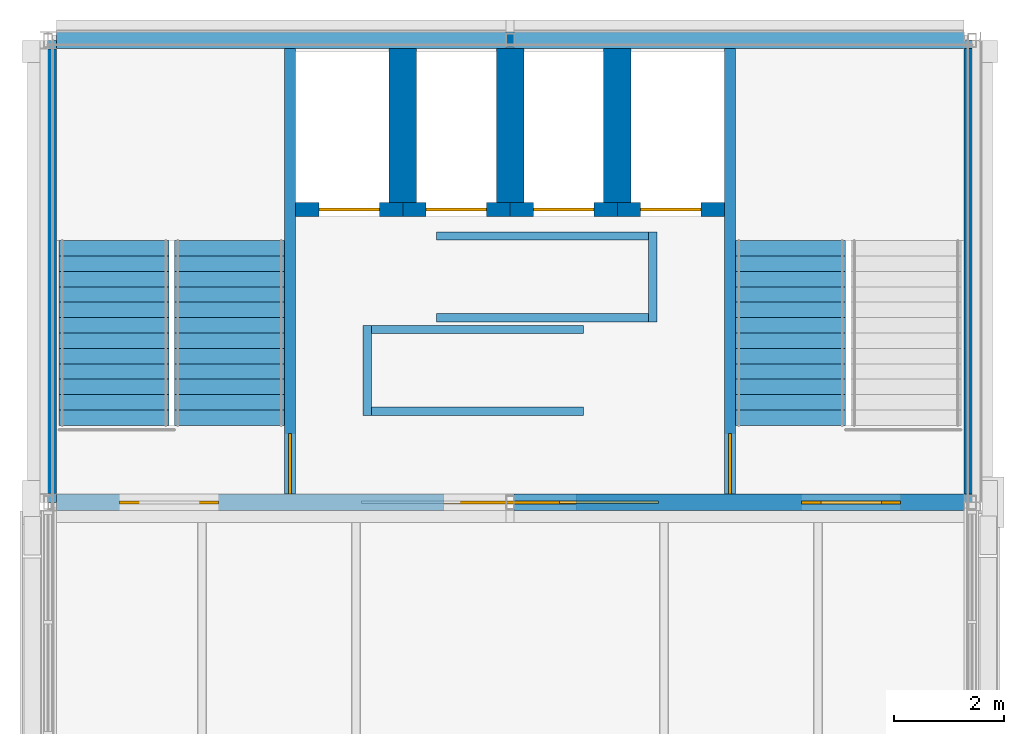
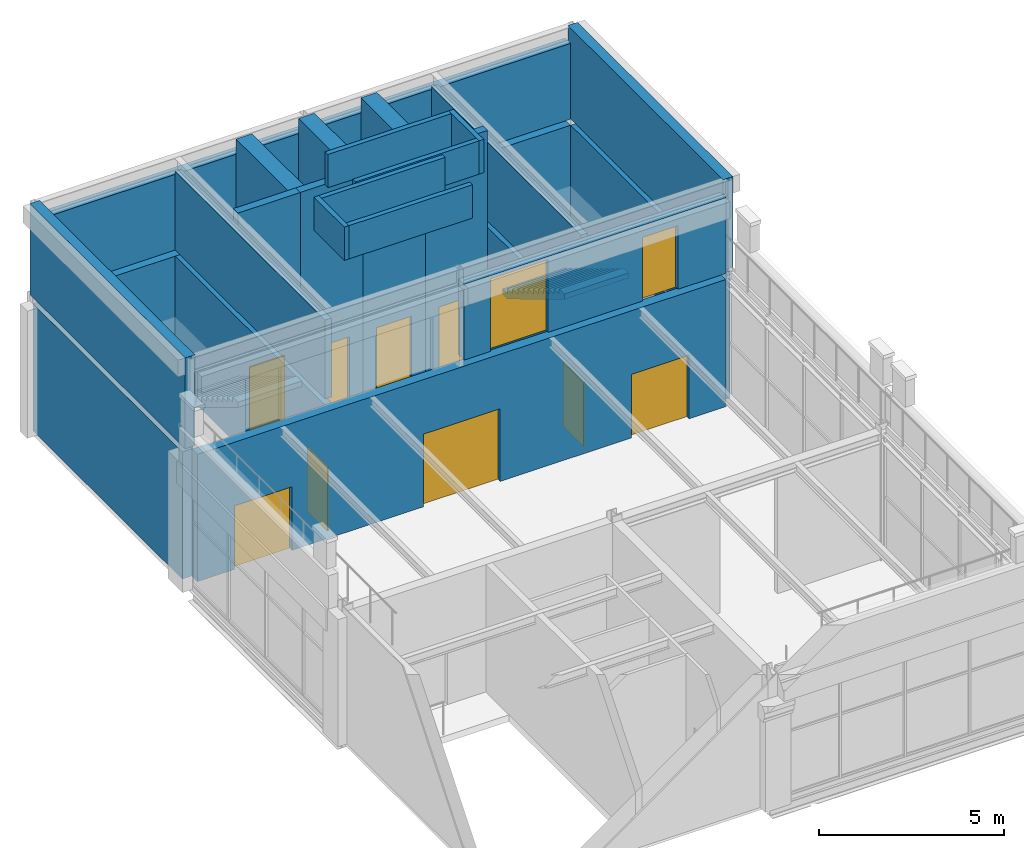
# One storey, part 4 of 7: 26 walls, 11 doors, 3 stair flights, 11 openings, 2 elements without a shape of their own.
"""IFC4 building model written with IfcOpenShell, lengths in metres."""

from ifc_helpers import new_model, si_unit, direction, frame, frame_2d, origin, place, context, subcontext, project, spatial, polyline, rectangle, outline, extrude, material, layer, layer_set, type_object, element, fill, aggregate, save


model = new_model("IFC4")

# Units and contexts
model_context = context("Model", 3, precision=1e-05, world=origin(), true_north=direction((0.0, 1.0)))
body_context = subcontext(model_context, "Body", "Model", "MODEL_VIEW")
ifc_project = project(units=[si_unit("LENGTHUNIT", "METRE"), si_unit("AREAUNIT", "SQUARE_METRE"), si_unit("VOLUMEUNIT", "CUBIC_METRE"), si_unit("PLANEANGLEUNIT", "RADIAN"), si_unit("MASSUNIT", "GRAM", prefix="KILO")], contexts=[model_context])

# Site, building, storey
site_placement = place(None, origin())
site = spatial("IfcSite", under=ifc_project, at=site_placement, CompositionType="ELEMENT")
building_placement = place(site_placement, origin())
building = spatial("IfcBuilding", under=site, at=building_placement, Name="Galleria Vessillo Department Store", CompositionType="ELEMENT")
storey_placement = place(building_placement, frame((0.0, 0.0, 67.60009765625)))
storey = spatial("IfcBuildingStorey", under=building, at=storey_placement, Name="L15", CompositionType="ELEMENT", Elevation=67.60009765625)

# Walls
ifc_material_1 = material(Name="Hollow clay block masonry", Category="masonry")
ifc_layer_1 = layer(ifc_material_1, 0.199951171875)
ifc_layer_set_1 = layer_set([ifc_layer_1], Name="Hollow clay block masonry")
wall_type_1 = type_object("IfcWallType", Name="Head-house stair partition 200 mm", PredefinedType="PARTITIONING", material=ifc_layer_set_1)
for number, where, z_axis, x_axis, name in (
    (1, (105.199951171875, 62.85009765625, 4.39990234375), (0.0, 0.0, 1.0), (0.0, -1.0, 0.0), "Head-house stair partition TC"),
    (2, (113.199951171875, 62.85009765625, 4.39990234375), (0.0, 0.0, 1.0), (0.0, -1.0, 0.0), "Head-house stair partition TC"),
):
    element("IfcWall", number, at=place(storey_placement, frame(where, z_axis=z_axis, x_axis=x_axis)), inside=storey, type_object=wall_type_1, Name=name, PredefinedType="PARTITIONING", context=body_context, shape_type="SweptSolid", body=[
        extrude(rectangle(XDim=8.10009765625, YDim=0.199951171875, at=frame_2d((4.050048828125, 0.0))), origin(), (0.0, 0.0, 1.0), 2.60009765625),
    ])
ifc_material_2 = material(Name="Solid clay block masonry", Category="masonry")
ifc_layer_2 = layer(ifc_material_2, 0.5)
ifc_layer_set_2 = layer_set([ifc_layer_2], Name="Solid clay block masonry")
wall_type_2 = type_object("IfcWallType", Name="Lift shaft partition wall 500 mm", PredefinedType="SOLIDWALL", material=ifc_layer_set_2)
for number, where, z_axis, x_axis, name in (
    (3, (107.25, 62.85009765625, 0.0), (0.0, 0.0, 1.0), (0.0, -1.0, 0.0), "Lift shaft partition wall T1 L15"),
    (4, (109.199951171875, 62.85009765625, 0.0), (0.0, 0.0, 1.0), (0.0, -1.0, 0.0), "Lift shaft partition wall T2 L15"),
    (5, (111.14990234375, 62.85009765625, 0.0), (0.0, 0.0, 1.0), (0.0, -1.0, 0.0), "Lift shaft partition wall T3 L15"),
):
    element("IfcWall", number, at=place(storey_placement, frame(where, z_axis=z_axis, x_axis=x_axis)), inside=storey, type_object=wall_type_2, Name=name, PredefinedType="SOLIDWALL", context=body_context, shape_type="SweptSolid", body=[
        extrude(rectangle(XDim=2.800048828125, YDim=0.5, at=frame_2d((1.39990234375, 0.0))), origin(), (0.0, 0.0, 1.0), 7.39990234375),
    ])

# Wall, opening, door
ifc_material_3 = material(Name="Solid clay block masonry", Category="masonry")
ifc_layer_3 = layer(ifc_material_3, 0.25)
ifc_layer_set_3 = layer_set([ifc_layer_3], Name="Solid clay block masonry")
wall_type_3 = type_object("IfcWallType", Name="Lift shaft wall 250 mm", PredefinedType="SOLIDWALL", material=ifc_layer_set_3)
wall_1_placement = place(storey_placement, frame((105.300048828125, 59.925048828125, 0.0), z_axis=(0.0, 0.0, 1.0), x_axis=(1.0, 0.0, 0.0)))
wall_1 = element("IfcWall", 6, at=wall_1_placement, inside=storey, type_object=wall_type_3, Name="Lift shaft wall T1 landing side L15", PredefinedType="SOLIDWALL", context=body_context, shape_type="SweptSolid", body=[
    extrude(rectangle(XDim=1.949951171875, YDim=0.25, at=frame_2d((0.97509765625, 0.0))), origin(), (0.0, 0.0, 1.0), 7.39990234375),
])
opening_1_placement = place(wall_1_placement, frame((0.4248046875, 0.0, 0.0)))
opening_1 = element("IfcOpeningElement", 7, at=opening_1_placement, cuts=wall_1, Name="Opening LD133", PredefinedType="OPENING", context=body_context, shape_type="SweptSolid", body=[
    extrude(rectangle(XDim=1.10009765625, YDim=2.10009765625, at=frame_2d((0.550048828125, 1.050048828125))), frame((0.0, 0.135009765625, 0.0), z_axis=(0.0, -1.0, 0.0), x_axis=(1.0, 0.0, 0.0)), (0.0, 0.0, 1.0), 0.27001953125),
])
ifc_material_4 = material(Name="Stainless steel lift door panel", Category="steel")
door_type_1 = type_object("IfcDoorType", Name="Lift landing door LD110 sliding 1100 x 2100", OperationType="SLIDING_TO_LEFT", PredefinedType="DOOR", material=ifc_material_4)
door_1_placement = place(opening_1_placement, frame((1.10009765625, 0.0, 0.0), z_axis=(0.0, 0.0, 1.0), x_axis=(-1.0, 0.0, 0.0)))
door_1 = element("IfcDoor", 8, at=door_1_placement, inside=storey, type_object=door_type_1, Name="Lift landing door T1 L15", OperationType="SLIDING_TO_RIGHT", OverallHeight=2.10009765625, OverallWidth=1.10009765625, PredefinedType="DOOR", context=body_context, shape_type="SweptSolid", body=[
    extrude(rectangle(XDim=1.10009765625, YDim=2.10009765625, at=frame_2d((0.550048828125, 1.050048828125))), frame((0.0, 0.02490234375, 0.0), z_axis=(0.0, -1.0, 0.0), x_axis=(1.0, 0.0, 0.0)), (0.0, 0.0, 1.0), 0.050048828125),
])
fill(opening_1, door_1)

wall_2_placement = place(storey_placement, frame((107.25, 59.925048828125, 0.0), z_axis=(0.0, 0.0, 1.0), x_axis=(1.0, 0.0, 0.0)))
wall_2 = element("IfcWall", 9, at=wall_2_placement, inside=storey, type_object=wall_type_3, Name="Lift shaft wall T2 landing side L15", PredefinedType="SOLIDWALL", context=body_context, shape_type="SweptSolid", body=[
    extrude(rectangle(XDim=1.949951171875, YDim=0.25, at=frame_2d((0.97509765625, 0.0))), origin(), (0.0, 0.0, 1.0), 7.39990234375),
])
opening_2_placement = place(wall_2_placement, frame((0.425048828125, 0.0, 0.0)))
opening_2 = element("IfcOpeningElement", 10, at=opening_2_placement, cuts=wall_2, Name="Opening LD134", PredefinedType="OPENING", context=body_context, shape_type="SweptSolid", body=[
    extrude(rectangle(XDim=1.10009765625, YDim=2.10009765625, at=frame_2d((0.550048828125, 1.050048828125))), frame((0.0, 0.135009765625, 0.0), z_axis=(0.0, -1.0, 0.0), x_axis=(1.0, 0.0, 0.0)), (0.0, 0.0, 1.0), 0.27001953125),
])
door_2_placement = place(opening_2_placement, frame((1.10009765625, 0.0, 0.0), z_axis=(0.0, 0.0, 1.0), x_axis=(-1.0, 0.0, 0.0)))
door_2 = element("IfcDoor", 11, at=door_2_placement, inside=storey, type_object=door_type_1, Name="Lift landing door T2 L15", OperationType="SLIDING_TO_RIGHT", OverallHeight=2.10009765625, OverallWidth=1.10009765625, PredefinedType="DOOR", context=body_context, shape_type="SweptSolid", body=[
    extrude(rectangle(XDim=1.10009765625, YDim=2.10009765625, at=frame_2d((0.550048828125, 1.050048828125))), frame((0.0, 0.02490234375, 0.0), z_axis=(0.0, -1.0, 0.0), x_axis=(1.0, 0.0, 0.0)), (0.0, 0.0, 1.0), 0.050048828125),
])
fill(opening_2, door_2)

wall_3_placement = place(storey_placement, frame((109.199951171875, 59.925048828125, 0.0), z_axis=(0.0, 0.0, 1.0), x_axis=(1.0, 0.0, 0.0)))
wall_3 = element("IfcWall", 12, at=wall_3_placement, inside=storey, type_object=wall_type_3, Name="Lift shaft wall T3 landing side L15", PredefinedType="SOLIDWALL", context=body_context, shape_type="SweptSolid", body=[
    extrude(rectangle(XDim=1.949951171875, YDim=0.25, at=frame_2d((0.97509765625, 0.0))), origin(), (0.0, 0.0, 1.0), 7.39990234375),
])
opening_3_placement = place(wall_3_placement, frame((0.425048828125, 0.0, 0.0)))
opening_3 = element("IfcOpeningElement", 13, at=opening_3_placement, cuts=wall_3, Name="Opening LD135", PredefinedType="OPENING", context=body_context, shape_type="SweptSolid", body=[
    extrude(rectangle(XDim=1.10009765625, YDim=2.10009765625, at=frame_2d((0.550048828125, 1.050048828125))), frame((0.0, 0.135009765625, 0.0), z_axis=(0.0, -1.0, 0.0), x_axis=(1.0, 0.0, 0.0)), (0.0, 0.0, 1.0), 0.27001953125),
])
door_3_placement = place(opening_3_placement, frame((1.10009765625, 0.0, 0.0), z_axis=(0.0, 0.0, 1.0), x_axis=(-1.0, 0.0, 0.0)))
door_3 = element("IfcDoor", 14, at=door_3_placement, inside=storey, type_object=door_type_1, Name="Lift landing door T3 L15", OperationType="SLIDING_TO_RIGHT", OverallHeight=2.10009765625, OverallWidth=1.10009765625, PredefinedType="DOOR", context=body_context, shape_type="SweptSolid", body=[
    extrude(rectangle(XDim=1.10009765625, YDim=2.10009765625, at=frame_2d((0.550048828125, 1.050048828125))), frame((0.0, 0.02490234375, 0.0), z_axis=(0.0, -1.0, 0.0), x_axis=(1.0, 0.0, 0.0)), (0.0, 0.0, 1.0), 0.050048828125),
])
fill(opening_3, door_3)

wall_4_placement = place(storey_placement, frame((111.14990234375, 59.925048828125, 0.0), z_axis=(0.0, 0.0, 1.0), x_axis=(1.0, 0.0, 0.0)))
wall_4 = element("IfcWall", 15, at=wall_4_placement, inside=storey, type_object=wall_type_3, Name="Lift shaft wall T4 landing side L15", PredefinedType="SOLIDWALL", context=body_context, shape_type="SweptSolid", body=[
    extrude(rectangle(XDim=1.9501953125, YDim=0.25, at=frame_2d((0.97509765625, 0.0))), origin(), (0.0, 0.0, 1.0), 7.39990234375),
])
opening_4_placement = place(wall_4_placement, frame((0.425048828125, 0.0, 0.0)))
opening_4 = element("IfcOpeningElement", 16, at=opening_4_placement, cuts=wall_4, Name="Opening LD136", PredefinedType="OPENING", context=body_context, shape_type="SweptSolid", body=[
    extrude(rectangle(XDim=1.10009765625, YDim=2.10009765625, at=frame_2d((0.550048828125, 1.050048828125))), frame((0.0, 0.135009765625, 0.0), z_axis=(0.0, -1.0, 0.0), x_axis=(1.0, 0.0, 0.0)), (0.0, 0.0, 1.0), 0.27001953125),
])
door_4_placement = place(opening_4_placement, frame((1.10009765625, 0.0, 0.0), z_axis=(0.0, 0.0, 1.0), x_axis=(-1.0, 0.0, 0.0)))
door_4 = element("IfcDoor", 17, at=door_4_placement, inside=storey, type_object=door_type_1, Name="Lift landing door T4 L15", OperationType="SLIDING_TO_LEFT", OverallHeight=2.10009765625, OverallWidth=1.10009765625, PredefinedType="DOOR", context=body_context, shape_type="SweptSolid", body=[
    extrude(rectangle(XDim=1.10009765625, YDim=2.10009765625, at=frame_2d((0.550048828125, 1.050048828125))), frame((0.0, 0.02490234375, 0.0), z_axis=(0.0, -1.0, 0.0), x_axis=(1.0, 0.0, 0.0)), (0.0, 0.0, 1.0), 0.050048828125),
])
fill(opening_4, door_4)

# Walls
ifc_material_5 = material(Name="Reinforced masonry, limestone units 80 MPa", Category="masonry")
ifc_layer_4 = layer(ifc_material_5, 0.300048828125)
ifc_layer_set_4 = layer_set([ifc_layer_4], Name="Reinforced masonry, limestone units 80 MPa")
wall_type_4 = type_object("IfcWallType", Name="Load-bearing limestone pavilion wall 300 mm", PredefinedType="STANDARD", material=ifc_layer_set_4)
for number, where, z_axis, x_axis, name in (
    (18, (100.800048828125, 54.60009765625, 4.39990234375), (0.0, 0.0, 1.0), (0.0, 1.0, 0.0), "Load-bearing limestone pavilion wall 300 mm E-HH west"),
    (19, (117.60009765625, 54.60009765625, 4.39990234375), (0.0, 0.0, 1.0), (0.0, 1.0, 0.0), "Load-bearing limestone pavilion wall 300 mm E-HH east"),
):
    element("IfcWall", number, at=place(storey_placement, frame(where, z_axis=z_axis, x_axis=x_axis)), inside=storey, type_object=wall_type_4, Name=name, PredefinedType="STANDARD", context=body_context, shape_type="SweptSolid", body=[
        extrude(rectangle(XDim=8.39990234375, YDim=0.300048828125, at=frame_2d((4.199951171875, 0.0))), origin(), (0.0, 0.0, 1.0), 3.0),
    ])

# Wall, openings, doors
wall_5_placement = place(storey_placement, frame((109.275146484375, 54.60009765625, 4.39990234375), z_axis=(0.0, 0.0, 1.0), x_axis=(1.0, 0.0, 0.0)))
wall_5 = element("IfcWall", 20, at=wall_5_placement, inside=storey, type_object=wall_type_4, Name="Load-bearing limestone pavilion wall 300 mm E-HH south-2", PredefinedType="STANDARD", context=body_context, shape_type="SweptSolid", body=[
    extrude(rectangle(XDim=8.175048828125, YDim=0.300048828125, at=frame_2d((4.08740234375, 0.0))), origin(), (0.0, 0.0, 1.0), 2.5),
])
opening_5_placement = place(wall_5_placement, frame((5.57470703125, 0.0, 0.0)))
opening_5 = element("IfcOpeningElement", 21, at=opening_5_placement, cuts=wall_5, Name="Opening HH-D2", PredefinedType="OPENING", context=body_context, shape_type="SweptSolid", body=[
    extrude(rectangle(XDim=1.10009765625, YDim=2.10009765625, at=frame_2d((0.550048828125, 1.050048828125))), frame((0.0, 0.16015625, 0.0), z_axis=(0.0, -1.0, 0.0), x_axis=(1.0, 0.0, 0.0)), (0.0, 0.0, 1.0), 0.320068359375),
])
opening_6_placement = place(wall_5_placement, frame((0.82470703125, 0.0, 0.0)))
opening_6 = element("IfcOpeningElement", 22, at=opening_6_placement, cuts=wall_5, Name="Opening DT15-S111", PredefinedType="OPENING", context=body_context, shape_type="SweptSolid", body=[
    extrude(rectangle(XDim=1.800048828125, YDim=2.39990234375, at=frame_2d((0.89990234375, 1.199951171875))), frame((0.0, 0.16015625, 0.0), z_axis=(0.0, -1.0, 0.0), x_axis=(1.0, 0.0, 0.0)), (0.0, 0.0, 1.0), 0.320068359375),
])
ifc_material_6 = material(Name="Aluminium frame with laminated glass 44.2", Category="aluminium")
door_type_2 = type_object("IfcDoorType", Name="Glazed double terrace door 1800 x 2400", OperationType="DOUBLE_DOOR_SINGLE_SWING", PredefinedType="DOOR", material=ifc_material_6)
door_5_placement = place(opening_6_placement, frame((1.800048828125, 0.0, 0.0), z_axis=(0.0, 0.0, 1.0), x_axis=(-1.0, 0.0, 0.0)))
door_5 = element("IfcDoor", 23, at=door_5_placement, inside=storey, type_object=door_type_2, Name="Glazed double terrace door 1800 x 2400 DT15-S111", OperationType="DOUBLE_DOOR_SINGLE_SWING", OverallHeight=2.39990234375, OverallWidth=1.800048828125, PredefinedType="DOOR", context=body_context, shape_type="SweptSolid", body=[
    extrude(rectangle(XDim=1.800048828125, YDim=2.39990234375, at=frame_2d((0.89990234375, 1.199951171875))), frame((0.0, 0.02490234375, 0.0), z_axis=(0.0, -1.0, 0.0), x_axis=(1.0, 0.0, 0.0)), (0.0, 0.0, 1.0), 0.050048828125),
])
fill(opening_6, door_5)
ifc_material_7 = material(Name="Galvanised steel sectional leaf", Category="steel")
door_type_3 = type_object("IfcDoorType", Name="Single leaf pavilion door 1100 x 2100", OperationType="SINGLE_SWING_LEFT", PredefinedType="DOOR", material=ifc_material_7)
door_6_placement = place(opening_5_placement, origin())
door_6 = element("IfcDoor", 24, at=door_6_placement, inside=storey, type_object=door_type_3, Name="Single leaf pavilion door 1100 x 2100 HH-D2", OperationType="SINGLE_SWING_RIGHT", OverallHeight=2.10009765625, OverallWidth=1.10009765625, PredefinedType="DOOR", context=body_context, shape_type="SweptSolid", body=[
    extrude(rectangle(XDim=1.10009765625, YDim=2.10009765625, at=frame_2d((0.550048828125, 1.050048828125))), frame((0.0, 0.02490234375, 0.0), z_axis=(0.0, -1.0, 0.0), x_axis=(1.0, 0.0, 0.0)), (0.0, 0.0, 1.0), 0.050048828125),
])
fill(opening_5, door_6)

# Walls
wall_6_placement = place(storey_placement, frame((100.949951171875, 63.0, 4.39990234375), z_axis=(0.0, 0.0, 1.0), x_axis=(1.0, 0.0, 0.0)))
element("IfcWall", 25, at=wall_6_placement, inside=storey, type_object=wall_type_4, Name="Load-bearing limestone pavilion wall 300 mm E-HH north-1", PredefinedType="STANDARD", context=body_context, shape_type="SweptSolid", body=[
    extrude(rectangle(XDim=8.17529296875, YDim=0.300048828125, at=frame_2d((4.087646484375, 0.0))), origin(), (0.0, 0.0, 1.0), 2.5),
])
wall_7_placement = place(storey_placement, frame((109.275146484375, 63.0, 4.39990234375), z_axis=(0.0, 0.0, 1.0), x_axis=(1.0, 0.0, 0.0)))
element("IfcWall", 26, at=wall_7_placement, inside=storey, type_object=wall_type_4, Name="Load-bearing limestone pavilion wall 300 mm E-HH north-2", PredefinedType="STANDARD", context=body_context, shape_type="SweptSolid", body=[
    extrude(rectangle(XDim=8.175048828125, YDim=0.300048828125, at=frame_2d((4.08740234375, 0.0))), origin(), (0.0, 0.0, 1.0), 2.5),
])

# Wall, openings, doors
ifc_material_8 = material(Name="Concrete C32/40 reinforced", Category="concrete")
ifc_layer_5 = layer(ifc_material_8, 0.300048828125)
ifc_layer_set_5 = layer_set([ifc_layer_5], Name="Concrete C32/40 reinforced")
wall_type_5 = type_object("IfcWallType", Name="Reinforced concrete core wall 300 mm", PredefinedType="SHEAR", material=ifc_layer_set_5)
wall_8_placement = place(storey_placement, frame((100.949951171875, 54.60009765625, 0.0), z_axis=(0.0, 0.0, 1.0), x_axis=(1.0, 0.0, 0.0)))
wall_8 = element("IfcWall", 27, at=wall_8_placement, inside=storey, type_object=wall_type_5, Name="S-CW-TC-INTERIOR-L15", PredefinedType="SHEAR", context=body_context, shape_type="SweptSolid", body=[
    extrude(rectangle(XDim=16.490234375, YDim=0.300048828125, at=frame_2d((8.2451171875, 0.0))), origin(), (0.0, 0.0, 1.0), 4.199951171875),
])
opening_7_placement = place(wall_8_placement, frame((1.14990234375, 0.0, 0.0)))
opening_7 = element("IfcOpeningElement", 28, at=opening_7_placement, cuts=wall_8, Name="Opening D5317", PredefinedType="OPENING", context=body_context, shape_type="SweptSolid", body=[
    extrude(rectangle(XDim=1.800048828125, YDim=2.10009765625, at=frame_2d((0.89990234375, 1.050048828125))), frame((0.0, 0.16015625, 0.0), z_axis=(0.0, -1.0, 0.0), x_axis=(1.0, 0.0, 0.0)), (0.0, 0.0, 1.0), 0.320068359375),
])
opening_8_placement = place(wall_8_placement, frame((13.5498046875, 0.0, 0.0)))
opening_8 = element("IfcOpeningElement", 29, at=opening_8_placement, cuts=wall_8, Name="Opening D5318", PredefinedType="OPENING", context=body_context, shape_type="SweptSolid", body=[
    extrude(rectangle(XDim=1.800048828125, YDim=2.10009765625, at=frame_2d((0.89990234375, 1.050048828125))), frame((0.0, 0.16015625, 0.0), z_axis=(0.0, -1.0, 0.0), x_axis=(1.0, 0.0, 0.0)), (0.0, 0.0, 1.0), 0.320068359375),
])
opening_9_placement = place(wall_8_placement, frame((7.0498046875, 0.0, 0.0)))
opening_9 = element("IfcOpeningElement", 30, at=opening_9_placement, cuts=wall_8, Name="Opening D5319", PredefinedType="OPENING", context=body_context, shape_type="SweptSolid", body=[
    extrude(rectangle(XDim=2.39990234375, YDim=2.39990234375, at=frame_2d((1.199951171875, 1.199951171875))), frame((0.0, 0.16015625, 0.0), z_axis=(0.0, -1.0, 0.0), x_axis=(1.0, 0.0, 0.0)), (0.0, 0.0, 1.0), 0.320068359375),
])
ifc_material_9 = material(Name="Fire-rated steel door leaf", Category="steel")
door_type_4 = type_object("IfcDoorType", Name="Door D180F double leaf 1800 x 2100", OperationType="DOUBLE_DOOR_SINGLE_SWING", PredefinedType="DOOR", material=ifc_material_9)
door_7_placement = place(opening_7_placement, origin())
door_7 = element("IfcDoor", 31, at=door_7_placement, inside=storey, type_object=door_type_4, Name="Lobby door TC-ST8-FLOOR L15", OperationType="DOUBLE_DOOR_SINGLE_SWING", OverallHeight=2.10009765625, OverallWidth=1.800048828125, PredefinedType="DOOR", context=body_context, shape_type="SweptSolid", body=[
    extrude(rectangle(XDim=1.800048828125, YDim=2.10009765625, at=frame_2d((0.89990234375, 1.050048828125))), frame((0.0, 0.02490234375, 0.0), z_axis=(0.0, -1.0, 0.0), x_axis=(1.0, 0.0, 0.0)), (0.0, 0.0, 1.0), 0.050048828125),
])
fill(opening_7, door_7)
door_8_placement = place(opening_8_placement, origin())
door_8 = element("IfcDoor", 32, at=door_8_placement, inside=storey, type_object=door_type_4, Name="Lobby door TC-ST9-FLOOR L15", OperationType="DOUBLE_DOOR_SINGLE_SWING", OverallHeight=2.10009765625, OverallWidth=1.800048828125, PredefinedType="DOOR", context=body_context, shape_type="SweptSolid", body=[
    extrude(rectangle(XDim=1.800048828125, YDim=2.10009765625, at=frame_2d((0.89990234375, 1.050048828125))), frame((0.0, 0.02490234375, 0.0), z_axis=(0.0, -1.0, 0.0), x_axis=(1.0, 0.0, 0.0)), (0.0, 0.0, 1.0), 0.050048828125),
])
fill(opening_8, door_8)
ifc_material_10 = material(Name="Fire-rated steel door leaf", Category="steel")
door_type_5 = type_object("IfcDoorType", Name="Door D240F double leaf 2400 x 2400", OperationType="DOUBLE_DOOR_SINGLE_SWING", PredefinedType="DOOR", material=ifc_material_10)
door_9_placement = place(opening_9_placement, origin())
door_9 = element("IfcDoor", 33, at=door_9_placement, inside=storey, type_object=door_type_5, Name="Lobby door TC-LOBBY-FLOOR L15", OperationType="DOUBLE_DOOR_SINGLE_SWING", OverallHeight=2.39990234375, OverallWidth=2.39990234375, PredefinedType="DOOR", context=body_context, shape_type="SweptSolid", body=[
    extrude(rectangle(XDim=2.39990234375, YDim=2.39990234375, at=frame_2d((1.199951171875, 1.199951171875))), frame((0.0, 0.02490234375, 0.0), z_axis=(0.0, -1.0, 0.0), x_axis=(1.0, 0.0, 0.0)), (0.0, 0.0, 1.0), 0.050048828125),
])
fill(opening_9, door_9)

# Walls
wall_9_placement = place(storey_placement, frame((100.800048828125, 54.760009765625, 0.0), z_axis=(0.0, 0.0, 1.0), x_axis=(0.0, 1.0, 0.0)))
element("IfcWall", 34, at=wall_9_placement, inside=storey, type_object=wall_type_5, Name="S-CW-TC-WEST-L15", PredefinedType="SHEAR", context=body_context, shape_type="SweptSolid", body=[
    extrude(rectangle(XDim=8.080078125, YDim=0.300048828125, at=frame_2d((4.0400390625, 0.0))), origin(), (0.0, 0.0, 1.0), 4.199951171875),
])
ifc_material_11 = material(Name="Concrete C32/40 reinforced", Category="concrete")
ifc_layer_6 = layer(ifc_material_11, 0.300048828125)
ifc_layer_set_6 = layer_set([ifc_layer_6], Name="Concrete C32/40 reinforced")
wall_type_6 = type_object("IfcWallType", Name="Reinforced concrete core wall 300 mm, external", PredefinedType="SHEAR", material=ifc_layer_set_6)
wall_10_placement = place(storey_placement, frame((100.949951171875, 63.0, 0.0), z_axis=(0.0, 0.0, 1.0), x_axis=(1.0, 0.0, 0.0)))
element("IfcWall", 35, at=wall_10_placement, inside=storey, type_object=wall_type_6, Name="S-CW-TC-PARTY-L15", PredefinedType="SHEAR", context=body_context, shape_type="SweptSolid", body=[
    extrude(rectangle(XDim=16.490234375, YDim=0.300048828125, at=frame_2d((8.2451171875, 0.0))), origin(), (0.0, 0.0, 1.0), 4.199951171875),
])
wall_11_placement = place(storey_placement, frame((117.60009765625, 54.75, 0.0), z_axis=(0.0, 0.0, 1.0), x_axis=(0.0, 1.0, 0.0)))
element("IfcWall", 36, at=wall_11_placement, inside=storey, type_object=wall_type_6, Name="S-CW-TC-EAST-L15", PredefinedType="SHEAR", context=body_context, shape_type="SweptSolid", body=[
    extrude(rectangle(XDim=8.10009765625, YDim=0.300048828125, at=frame_2d((4.050048828125, 0.0))), origin(), (0.0, 0.0, 1.0), 4.199951171875),
])
ifc_material_12 = material(Name="Concrete C32/40 reinforced", Category="concrete")
ifc_layer_7 = layer(ifc_material_12, 0.14990234375)
ifc_layer_set_7 = layer_set([ifc_layer_7], Name="Concrete C32/40 reinforced")
wall_type_7 = type_object("IfcWallType", Name="Reinforced concrete roof opening upstand 150 mm", PredefinedType="PARAPET", material=ifc_layer_set_7)
wall_12_placement = place(storey_placement, frame((110.5390625, 56.255126953125, 7.599853515625), z_axis=(0.0, 0.0, 1.0), x_axis=(-1.0, 0.0, 0.0)))
element("IfcWall", 37, at=wall_12_placement, inside=storey, type_object=wall_type_7, Name="Roof opening upstand RS1 S", PredefinedType="PARAPET", context=body_context, shape_type="SweptSolid", body=[
    extrude(rectangle(XDim=3.859619140625, YDim=0.14990234375, at=frame_2d((1.9296875, 0.0))), origin(), (0.0, 0.0, 1.0), 1.10009765625),
])
wall_13_placement = place(storey_placement, frame((106.6044921875, 56.18017578125, 7.599853515625), z_axis=(0.0, 0.0, 1.0), x_axis=(0.0, 1.0, 0.0)))
element("IfcWall", 38, at=wall_13_placement, inside=storey, type_object=wall_type_7, Name="Roof opening upstand RS1 W", PredefinedType="PARAPET", context=body_context, shape_type="SweptSolid", body=[
    extrude(rectangle(XDim=1.6396484375, YDim=0.14990234375, at=frame_2d((0.81982421875, 0.0))), origin(), (0.0, 0.0, 1.0), 1.10009765625),
])
for number, where, z_axis, x_axis, name in (
    (39, (106.679443359375, 57.744873046875, 7.599853515625), (0.0, 0.0, 1.0), (1.0, 0.0, 0.0), "Roof opening upstand RS1 N"),
    (40, (107.86083984375, 57.955078125, 7.599853515625), (0.0, 0.0, 1.0), (1.0, 0.0, 0.0), "Roof opening upstand RS2 S"),
):
    element("IfcWall", number, at=place(storey_placement, frame(where, z_axis=z_axis, x_axis=x_axis)), inside=storey, type_object=wall_type_7, Name=name, PredefinedType="PARAPET", context=body_context, shape_type="SweptSolid", body=[
        extrude(rectangle(XDim=3.859619140625, YDim=0.14990234375, at=frame_2d((1.9296875, 0.0))), origin(), (0.0, 0.0, 1.0), 1.10009765625),
    ])
wall_14_placement = place(storey_placement, frame((111.79541015625, 57.880126953125, 7.599853515625), z_axis=(0.0, 0.0, 1.0), x_axis=(0.0, 1.0, 0.0)))
element("IfcWall", 41, at=wall_14_placement, inside=storey, type_object=wall_type_7, Name="Roof opening upstand RS2 W", PredefinedType="PARAPET", context=body_context, shape_type="SweptSolid", body=[
    extrude(rectangle(XDim=1.639892578125, YDim=0.14990234375, at=frame_2d((0.81982421875, 0.0))), origin(), (0.0, 0.0, 1.0), 1.10009765625),
])
wall_15_placement = place(storey_placement, frame((111.720458984375, 59.445068359375, 7.599853515625), z_axis=(0.0, 0.0, 1.0), x_axis=(-1.0, 0.0, 0.0)))
element("IfcWall", 42, at=wall_15_placement, inside=storey, type_object=wall_type_7, Name="Roof opening upstand RS2 N", PredefinedType="PARAPET", context=body_context, shape_type="SweptSolid", body=[
    extrude(rectangle(XDim=3.859619140625, YDim=0.14990234375, at=frame_2d((1.9296875, 0.0))), origin(), (0.0, 0.0, 1.0), 1.10009765625),
])

# Wall, opening, door
ifc_material_13 = material(Name="Concrete C32/40 reinforced", Category="concrete")
ifc_layer_8 = layer(ifc_material_13, 0.199951171875)
ifc_layer_set_8 = layer_set([ifc_layer_8], Name="Concrete C32/40 reinforced")
wall_type_8 = type_object("IfcWallType", Name="Reinforced concrete stair enclosure wall 200 mm", PredefinedType="SHEAR", material=ifc_layer_set_8)
wall_16_placement = place(storey_placement, frame((105.199951171875, 62.85009765625, 0.0), z_axis=(0.0, 0.0, 1.0), x_axis=(0.0, -1.0, 0.0)))
wall_16 = element("IfcWall", 43, at=wall_16_placement, inside=storey, type_object=wall_type_8, Name="Stair enclosure wall TC L15", PredefinedType="SHEAR", context=body_context, shape_type="SweptSolid", body=[
    extrude(rectangle(XDim=8.10009765625, YDim=0.199951171875, at=frame_2d((4.050048828125, 0.0))), origin(), (0.0, 0.0, 1.0), 4.199951171875),
])
opening_10_placement = place(wall_16_placement, frame((7.0, 0.0, 0.0)))
opening_10 = element("IfcOpeningElement", 44, at=opening_10_placement, cuts=wall_16, Name="Opening D5315", PredefinedType="OPENING", context=body_context, shape_type="SweptSolid", body=[
    extrude(rectangle(XDim=1.11009765625, YDim=2.10009765625, at=frame_2d((0.554931640625, 1.050048828125))), frame((0.0, 0.10986328125, 0.0), z_axis=(0.0, -1.0, 0.0), x_axis=(1.0, 0.0, 0.0)), (0.0, 0.0, 1.0), 0.219970703125),
])
ifc_material_14 = material(Name="Fire-rated steel door leaf", Category="steel")
door_type_6 = type_object("IfcDoorType", Name="Door D110F stair door 1100 x 2100", OperationType="SINGLE_SWING_LEFT", PredefinedType="DOOR", material=ifc_material_14)
door_10_placement = place(opening_10_placement, frame((1.10009765625, 0.0, 0.0), z_axis=(0.0, 0.0, 1.0), x_axis=(-1.0, 0.0, 0.0)))
door_10 = element("IfcDoor", 45, at=door_10_placement, inside=storey, type_object=door_type_6, Name="Stair door TC-ST8-LOBBY L15", OperationType="SINGLE_SWING_LEFT", OverallHeight=2.10009765625, OverallWidth=1.10009765625, PredefinedType="DOOR", context=body_context, shape_type="SweptSolid", body=[
    extrude(rectangle(XDim=1.10009765625, YDim=2.10009765625, at=frame_2d((0.550048828125, 1.050048828125))), frame((0.0, 0.02490234375, 0.0), z_axis=(0.0, -1.0, 0.0), x_axis=(1.0, 0.0, 0.0)), (0.0, 0.0, 1.0), 0.050048828125),
])
fill(opening_10, door_10)

wall_17_placement = place(storey_placement, frame((113.199951171875, 62.85009765625, 0.0), z_axis=(0.0, 0.0, 1.0), x_axis=(0.0, -1.0, 0.0)))
wall_17 = element("IfcWall", 46, at=wall_17_placement, inside=storey, type_object=wall_type_8, Name="Stair enclosure wall TC L15", PredefinedType="SHEAR", context=body_context, shape_type="SweptSolid", body=[
    extrude(rectangle(XDim=8.10009765625, YDim=0.199951171875, at=frame_2d((4.050048828125, 0.0))), origin(), (0.0, 0.0, 1.0), 4.199951171875),
])
opening_11_placement = place(wall_17_placement, frame((7.0, 0.0, 0.0)))
opening_11 = element("IfcOpeningElement", 47, at=opening_11_placement, cuts=wall_17, Name="Opening D5316", PredefinedType="OPENING", context=body_context, shape_type="SweptSolid", body=[
    extrude(rectangle(XDim=1.11009765625, YDim=2.10009765625, at=frame_2d((0.554931640625, 1.050048828125))), frame((0.0, 0.10986328125, 0.0), z_axis=(0.0, -1.0, 0.0), x_axis=(1.0, 0.0, 0.0)), (0.0, 0.0, 1.0), 0.219970703125),
])
door_11_placement = place(opening_11_placement, origin())
door_11 = element("IfcDoor", 48, at=door_11_placement, inside=storey, type_object=door_type_6, Name="Stair door TC-ST9-LOBBY L15", OperationType="SINGLE_SWING_RIGHT", OverallHeight=2.10009765625, OverallWidth=1.10009765625, PredefinedType="DOOR", context=body_context, shape_type="SweptSolid", body=[
    extrude(rectangle(XDim=1.10009765625, YDim=2.10009765625, at=frame_2d((0.550048828125, 1.050048828125))), frame((0.0, 0.02490234375, 0.0), z_axis=(0.0, -1.0, 0.0), x_axis=(1.0, 0.0, 0.0)), (0.0, 0.0, 1.0), 0.050048828125),
])
fill(opening_11, door_11)

# Stair, stair flights
ifc_material_15 = material(Name="Concrete C32/40", Category="concrete")
stair_type = type_object("IfcStairType", Name="Half-turn escape stair 2000 mm, 26 risers of 169 mm", PredefinedType="HALF_TURN_STAIR", material=ifc_material_15)
stair_1_placement = place(storey_placement, origin())
stair_1 = element("IfcStair", 49, at=stair_1_placement, inside=storey, type_object=stair_type, Name="Stair ST8 L15", PredefinedType="HALF_TURN_STAIR")
ifc_material_16 = material(Name="Concrete C32/40", Category="concrete")
stair_flight_type = type_object("IfcStairFlightType", Name="Stair flight 2000 mm, 13 risers of 169 mm", PredefinedType="STRAIGHT", material=ifc_material_16)
stair_flight_1_placement = place(storey_placement, frame((102.0, 55.99951171875, 0.0), z_axis=(0.0, 0.0, 1.0), x_axis=(0.0, 1.0, 0.0)))
stair_flight_1 = element("IfcStairFlight", 50, at=stair_flight_1_placement, type_object=stair_flight_type, Name="ST8 flight 1", NumberOfRisers=13, NumberOfTreads=12, PredefinedType="STRAIGHT", RiserHeight=0.169230769, TreadLength=0.28, context=body_context, shape_type="SweptSolid", body=[
    extrude(outline(polyline([(0.0, 0.0), (0.0, 0.169189453125), (0.280029296875, 0.169189453125), (0.280029296875, 0.33837890625), (0.56005859375, 0.33837890625), (0.56005859375, 0.5078125), (0.840087890625, 0.5078125), (0.840087890625, 0.677001953125), (1.1201171875, 0.677001953125), (1.1201171875, 0.84619140625), (1.39990234375, 0.84619140625), (1.39990234375, 1.015380859375), (1.679931640625, 1.015380859375), (1.679931640625, 1.1845703125), (1.9599609375, 1.1845703125), (1.9599609375, 1.353759765625), (2.239990234375, 1.353759765625), (2.239990234375, 1.523193359375), (2.52001953125, 1.523193359375), (2.52001953125, 1.6923828125), (2.800048828125, 1.6923828125), (2.800048828125, 1.861572265625), (3.080078125, 1.861572265625), (3.080078125, 2.03076171875), (3.360107421875, 2.03076171875), (3.360107421875, 2.199951171875), (3.360107421875, 1.855712890625), (0.289794921875, 0.0), (0.0, 0.0)])), frame((0.0, 1.0, 0.0), z_axis=(0.0, -1.0, 0.0), x_axis=(1.0, 0.0, 0.0)), (0.0, 0.0, 1.0), 2.0),
])
stair_flight_2_placement = place(storey_placement, frame((104.10009765625, 59.359619140625, 2.199951171875), z_axis=(0.0, 0.0, 1.0), x_axis=(0.0, -1.0, 0.0)))
stair_flight_2 = element("IfcStairFlight", 51, at=stair_flight_2_placement, type_object=stair_flight_type, Name="ST8 flight 2", NumberOfRisers=13, NumberOfTreads=12, PredefinedType="STRAIGHT", RiserHeight=0.169230769, TreadLength=0.28, context=body_context, shape_type="SweptSolid", body=[
    extrude(outline(polyline([(0.0, 0.0), (0.0, 0.169189453125), (0.280029296875, 0.169189453125), (0.280029296875, 0.33837890625), (0.56005859375, 0.33837890625), (0.56005859375, 0.5078125), (0.840087890625, 0.5078125), (0.840087890625, 0.677001953125), (1.1201171875, 0.677001953125), (1.1201171875, 0.84619140625), (1.39990234375, 0.84619140625), (1.39990234375, 1.015380859375), (1.679931640625, 1.015380859375), (1.679931640625, 1.1845703125), (1.9599609375, 1.1845703125), (1.9599609375, 1.353759765625), (2.239990234375, 1.353759765625), (2.239990234375, 1.523193359375), (2.52001953125, 1.523193359375), (2.52001953125, 1.6923828125), (2.800048828125, 1.6923828125), (2.800048828125, 1.861572265625), (3.080078125, 1.861572265625), (3.080078125, 2.03076171875), (3.360107421875, 2.03076171875), (3.360107421875, 2.199951171875), (3.360107421875, 1.855712890625), (0.289794921875, 0.0), (0.0, 0.0)])), frame((0.0, 1.0, 0.0), z_axis=(0.0, -1.0, 0.0), x_axis=(1.0, 0.0, 0.0)), (0.0, 0.0, 1.0), 2.0),
])
aggregate(stair_1, [stair_flight_1, stair_flight_2])

# Stair, stair flight
stair_2_placement = place(storey_placement, origin())
stair_2 = element("IfcStair", 52, at=stair_2_placement, inside=storey, type_object=stair_type, Name="Stair ST9 L15", PredefinedType="HALF_TURN_STAIR")
stair_flight_3_placement = place(storey_placement, frame((114.300048828125, 59.359619140625, 2.199951171875), z_axis=(0.0, 0.0, 1.0), x_axis=(0.0, -1.0, 0.0)))
stair_flight_3 = element("IfcStairFlight", 53, at=stair_flight_3_placement, type_object=stair_flight_type, Name="ST9 flight 2", NumberOfRisers=13, NumberOfTreads=12, PredefinedType="STRAIGHT", RiserHeight=0.169230769, TreadLength=0.28, context=body_context, shape_type="SweptSolid", body=[
    extrude(outline(polyline([(0.0, 0.0), (0.0, 0.169189453125), (0.280029296875, 0.169189453125), (0.280029296875, 0.33837890625), (0.56005859375, 0.33837890625), (0.56005859375, 0.5078125), (0.840087890625, 0.5078125), (0.840087890625, 0.677001953125), (1.1201171875, 0.677001953125), (1.1201171875, 0.84619140625), (1.39990234375, 0.84619140625), (1.39990234375, 1.015380859375), (1.679931640625, 1.015380859375), (1.679931640625, 1.1845703125), (1.9599609375, 1.1845703125), (1.9599609375, 1.353759765625), (2.239990234375, 1.353759765625), (2.239990234375, 1.523193359375), (2.52001953125, 1.523193359375), (2.52001953125, 1.6923828125), (2.800048828125, 1.6923828125), (2.800048828125, 1.861572265625), (3.080078125, 1.861572265625), (3.080078125, 2.03076171875), (3.360107421875, 2.03076171875), (3.360107421875, 2.199951171875), (3.360107421875, 1.855712890625), (0.289794921875, 0.0), (0.0, 0.0)])), frame((0.0, 1.0, 0.0), z_axis=(0.0, -1.0, 0.0), x_axis=(1.0, 0.0, 0.0)), (0.0, 0.0, 1.0), 2.0),
])
aggregate(stair_2, [stair_flight_3])

save(model, "model.ifc")
